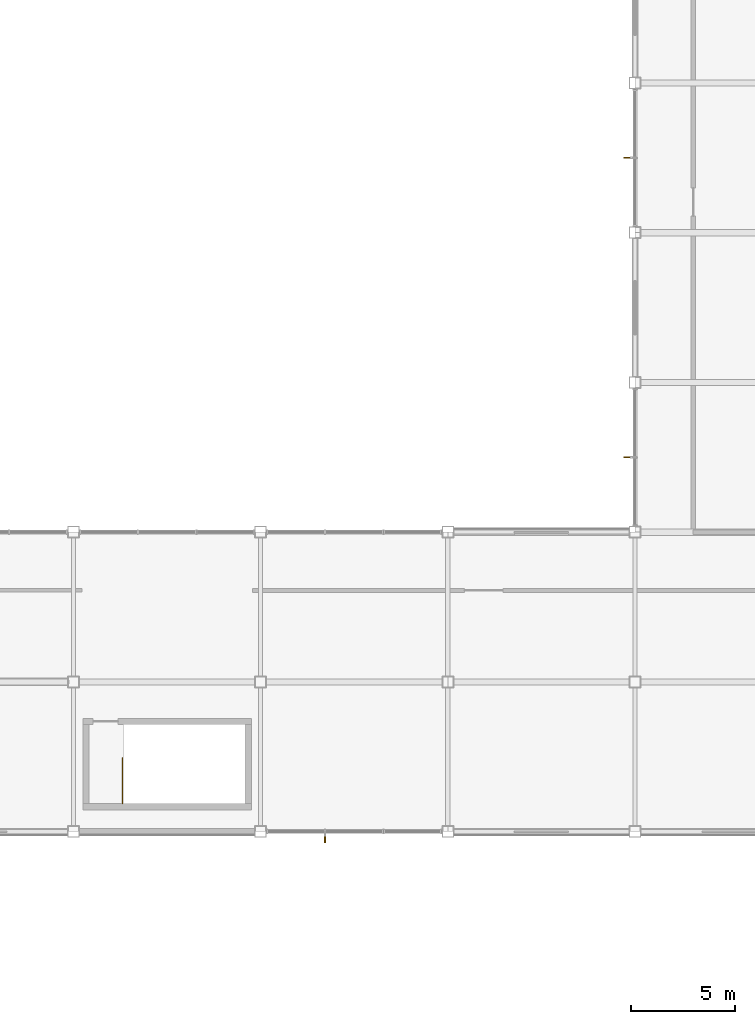
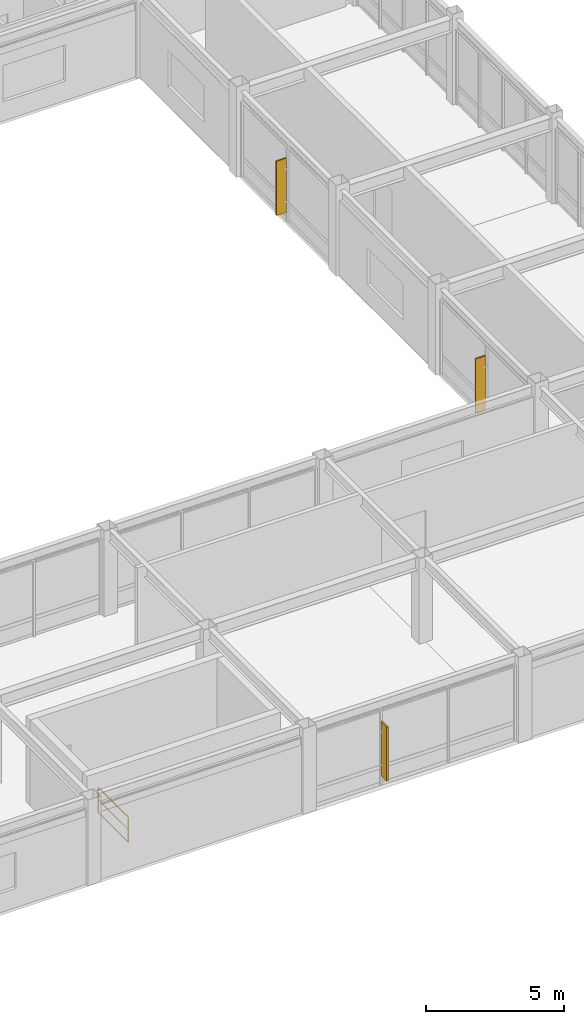
# One storey, part 109 of 113: 3 shading devices, 1 railing.
"""IFC4 building model written with IfcOpenShell, lengths in metres."""

import ifcopenshell
import ifcopenshell.guid

model = None  # the IFC model being written
_history = None  # IfcOwnerHistory: only IFC2X3 demands one
_inside = {}  # id of a spatial element -> (the spatial element, [elements in it])
_under = {}  # id of a project, library or spatial element -> (it, [spatial elements below it])
_declared = {}  # id of a project -> (the project, [libraries it declares])
_typed = {}  # id of a type object -> (the type object, [elements of that type])
_made_of = {}  # id of a material, layer set ... -> (it, [elements and type objects made of it])


def new_model(schema):
    """Start an empty IFC model of exactly this schema.

    Asked for "IFC4X3", IfcOpenShell would pick the latest addendum, in which some entities
    have other attributes; the version numbers below select the first issue.
    IFC2X3 requires an IfcOwnerHistory on every rooted entity: one is made here for all.
    """
    global model, _history
    if schema == "IFC4X3":
        model = ifcopenshell.file(schema_version=(4, 3, 0, 0))
    else:
        model = ifcopenshell.file(schema=schema)
    _inside.clear()
    _under.clear()
    _declared.clear()
    _typed.clear()
    _made_of.clear()
    _history = None
    if model.schema == "IFC2X3":
        org = make("IfcOrganization", Name="unknown")
        user = make(
            "IfcPersonAndOrganization",
            ThePerson=make("IfcPerson", FamilyName="unknown"),
            TheOrganization=org,
        )
        app = make(
            "IfcApplication",
            ApplicationDeveloper=org,
            Version="unknown",
            ApplicationFullName="unknown",
            ApplicationIdentifier="unknown",
        )
        _history = make(
            "IfcOwnerHistory",
            OwningUser=user,
            OwningApplication=app,
            ChangeAction="ADDED",
            CreationDate=0,
        )
    return model


def make(cls, **values):
    """One entity of the class cls with the attributes given. An attribute that is None is left unset."""
    return model.create_entity(
        cls, **{name: value for name, value in values.items() if value is not None}
    )


def rooted(cls, **values):
    """An entity with a GlobalId (a new one), such as an element, a storey or a relation."""
    return make(cls, GlobalId=ifcopenshell.guid.new(), OwnerHistory=_history, **values)


def si_unit(unit_type, name, prefix=None):
    """IfcSIUnit, for example si_unit("LENGTHUNIT", "METRE", prefix="MILLI")."""
    return make("IfcSIUnit", UnitType=unit_type, Prefix=prefix, Name=name)


def assignment(units):
    """IfcUnitAssignment: the units of a project."""
    return None if units is None else make("IfcUnitAssignment", Units=units)


def point(xyz):
    """IfcCartesianPoint."""
    return None if xyz is None else make("IfcCartesianPoint", Coordinates=xyz)


def direction(xyz):
    """IfcDirection."""
    return None if xyz is None else make("IfcDirection", DirectionRatios=xyz)


def frame(location, z_axis=None, x_axis=None):
    """IfcAxis2Placement3D, a coordinate frame: its origin and axes. An axis left out is left unset."""
    return make(
        "IfcAxis2Placement3D",
        Location=point(location),
        Axis=direction(z_axis),
        RefDirection=direction(x_axis),
    )


def frame_2d(location, x_axis=None):
    """IfcAxis2Placement2D, a coordinate frame in the plane: its origin and x axis."""
    return make(
        "IfcAxis2Placement2D", Location=point(location), RefDirection=direction(x_axis)
    )


def origin():
    """The frame at (0, 0, 0) with its axes left unset."""
    return frame((0.0, 0.0, 0.0))


def origin_2d():
    """The frame at (0, 0) in the plane with its x axis left unset."""
    return frame_2d((0.0, 0.0))


def place(relative_to, where):
    """IfcLocalPlacement: puts the frame where relative to a parent placement (None: the world)."""
    return make(
        "IfcLocalPlacement", PlacementRelTo=relative_to, RelativePlacement=where
    )


def context(
    kind, dimensions, precision=None, world=None, true_north=None, identifier=None
):
    """IfcGeometricRepresentationContext, for example the 3D "Model" context."""
    return make(
        "IfcGeometricRepresentationContext",
        ContextIdentifier=identifier,
        ContextType=kind,
        CoordinateSpaceDimension=dimensions,
        Precision=precision,
        WorldCoordinateSystem=world,
        TrueNorth=true_north,
    )


def subcontext(parent, identifier, kind, view, scale=None):
    """IfcGeometricRepresentationSubContext, for example "Body" below "Model"."""
    return make(
        "IfcGeometricRepresentationSubContext",
        ContextIdentifier=identifier,
        ContextType=kind,
        ParentContext=parent,
        TargetScale=scale,
        TargetView=view,
    )


def project(units=None, contexts=None):
    """IfcProject with its units and contexts."""
    return rooted(
        "IfcProject",
        Name="project",
        RepresentationContexts=contexts,
        UnitsInContext=assignment(units),
    )


def spatial(cls, under=None, at=None, **own):
    """A site, building, storey or space (cls), placed at a placement, below another one or the project."""
    s = rooted(cls, ObjectPlacement=at, **own)
    if under is not None:
        _under.setdefault(under.id(), (under, []))[1].append(s)
    return s


def profile(cls, at=None, kind="AREA", **sizes):
    """A parametric profile (cls). Its sizes go by their IFC names, for example OverallWidth=200.0."""
    return make(cls, ProfileType=kind, Position=at, **sizes)


def rectangle(**sizes):
    """IfcRectangleProfileDef."""
    return profile("IfcRectangleProfileDef", **sizes)


def extrude(swept, where, along, depth):
    """IfcExtrudedAreaSolid: the profile swept, set in the frame where, extruded along a direction by depth."""
    return make(
        "IfcExtrudedAreaSolid",
        SweptArea=swept,
        Position=where,
        ExtrudedDirection=direction(along),
        Depth=depth,
    )


def shape(context_of_items, identifier, shape_type, items):
    """IfcShapeRepresentation: the items that make up one representation, for example the "Body"."""
    return make(
        "IfcShapeRepresentation",
        ContextOfItems=context_of_items,
        RepresentationIdentifier=identifier,
        RepresentationType=shape_type,
        Items=items,
    )


def material(Name=None, Category=None):
    """IfcMaterial."""
    return make("IfcMaterial", Name=Name, Category=Category)


def made_of(thing, what):
    """Note that an element or type object is made of a material, layer set ...; save() writes the relation."""
    if what is not None:
        _made_of.setdefault(what.id(), (what, []))[1].append(thing)
    return thing


def type_object(cls, material=None, **own):
    """A type object (cls), such as IfcWallType, which elements share."""
    return made_of(rooted(cls, **own), material)


def element(
    cls,
    number,
    at=None,
    inside=None,
    cuts=None,
    type_object=None,
    material=None,
    context=None,
    identifier="Body",
    shape_type=None,
    held_by="IfcProductDefinitionShape",
    body=None,
    shapes=None,
    **own,
):
    """One element of the class cls, such as IfcWall. Its Tag is "e" and its number.

    at: its placement. inside: the storey or other place that contains it. cuts: it is an
    opening in that element (IfcRelVoidsElement). A single representation is given by context,
    identifier, shape_type and body (its items); several are given by shapes. held_by: the class
    of the entity that holds the representations. save() writes the other relations.
    """
    e = rooted(cls, Tag="e%d" % number, ObjectPlacement=at, **own)
    if body is not None:
        shapes = [shape(context, identifier, shape_type, body)]
    if shapes is not None:
        e.Representation = make(held_by, Representations=shapes)
    if inside is not None:
        _inside.setdefault(inside.id(), (inside, []))[1].append(e)
    if cuts is not None:
        rooted(
            "IfcRelVoidsElement", RelatingBuildingElement=cuts, RelatedOpeningElement=e
        )
    if type_object is not None:
        _typed.setdefault(type_object.id(), (type_object, []))[1].append(e)
    return made_of(e, material)


def aggregate(whole, parts):
    """IfcRelAggregates: a whole, such as a stair, and the parts it consists of."""
    return rooted("IfcRelAggregates", RelatingObject=whole, RelatedObjects=parts)


def save(model, path):
    """Write the relations noted so far, then the file.

    IfcRelAggregates (storeys below a building ...), IfcRelContainedInSpatialStructure (elements
    in a storey), IfcRelDefinesByType, IfcRelAssociatesMaterial and IfcRelDeclares: one each for
    every whole, place, type object, material and project.
    """
    for whole, parts in _under.values():
        aggregate(whole, parts)
    for where, things in _inside.values():
        rooted(
            "IfcRelContainedInSpatialStructure",
            RelatedElements=things,
            RelatingStructure=where,
        )
    for kind, things in _typed.values():
        rooted("IfcRelDefinesByType", RelatedObjects=things, RelatingType=kind)
    for what, things in _made_of.values():
        rooted("IfcRelAssociatesMaterial", RelatedObjects=things, RelatingMaterial=what)
    for by, libraries in _declared.values():
        rooted("IfcRelDeclares", RelatingContext=by, RelatedDefinitions=libraries)
    model.write(path)


model = new_model("IFC4")

# Units and contexts
model_context = context("Model", 3, precision=1e-05, world=origin(), true_north=direction((0.0, 1.0)))
body_context = subcontext(model_context, "Body", "Model", "MODEL_VIEW")
ifc_project = project(units=[si_unit("LENGTHUNIT", "METRE"), si_unit("AREAUNIT", "SQUARE_METRE"), si_unit("VOLUMEUNIT", "CUBIC_METRE"), si_unit("PLANEANGLEUNIT", "RADIAN"), si_unit("MASSUNIT", "GRAM", prefix="KILO")], contexts=[model_context])

# Site, building, storey
site_placement = place(None, origin())
site = spatial("IfcSite", under=ifc_project, at=site_placement, CompositionType="ELEMENT")
building_placement = place(site_placement, origin())
building = spatial("IfcBuilding", under=site, at=building_placement, Name="Kazanami Central Library", CompositionType="ELEMENT")
storey_placement = place(building_placement, frame((0.0, 0.0, 8.800048828125)))
storey = spatial("IfcBuildingStorey", under=building, at=storey_placement, Name="L03", CompositionType="ELEMENT", Elevation=8.800048828125)

# Railing
ifc_material_1 = material(Name="Stainless Steel SUS304", Category="steel")
railing_type = type_object("IfcRailingType", Name="RAL-GR-S1", PredefinedType="GUARDRAIL", material=ifc_material_1)
railing_placement = place(storey_placement, frame((74.360107421875, 22.969970703125, 0.0)))
element("IfcRailing", 1, at=railing_placement, inside=storey, type_object=railing_type, Name="Stair Well Guard ST-09 L03", PredefinedType="GUARDRAIL", context=body_context, shape_type="SweptSolid", body=[
    extrude(rectangle(XDim=0.0439453125, YDim=0.0439453125, at=origin_2d()), frame((0.0, 0.02587890625, 1.1279296875), z_axis=(0.0, 1.0, 0.0), x_axis=(-1.0, 0.0, 0.0)), (0.0, 0.0, 1.0), 2.10791015625),
    extrude(rectangle(XDim=0.02392578125, YDim=0.02392578125, at=origin_2d()), frame((0.0, 0.02587890625, 0.015869140625), z_axis=(0.0, 1.0, 0.0), x_axis=(-1.0, 0.0, 0.0)), (0.0, 0.0, 1.0), 2.10791015625),
    extrude(rectangle(XDim=0.02392578125, YDim=0.02392578125, at=origin_2d()), frame((0.0, 0.02587890625, 0.574951171875), z_axis=(0.0, 1.0, 0.0), x_axis=(-1.0, 0.0, 0.0)), (0.0, 0.0, 1.0), 2.10791015625),
    extrude(rectangle(XDim=0.035888671875, YDim=0.035888671875, at=origin_2d()), origin(), (0.0, 0.0, 1.0), 1.10205078125),
    extrude(rectangle(XDim=0.035888671875, YDim=0.035888671875, at=origin_2d()), frame((0.0, 2.159912109375, 0.0)), (0.0, 0.0, 1.0), 1.10205078125),
])

# Shading devices
ifc_material_2 = material(Name="Anodised Bronze-Grey Aluminium A6063-T5", Category="aluminium")
shading_device_type = type_object("IfcShadingDeviceType", Name="SHD-FIN-2", PredefinedType="USERDEFINED", material=ifc_material_2)
for number, where, z_axis, x_axis, name in (
    (2, (84.091552734375, 21.27001953125, 0.465087890625), (0.0, 0.0, 1.0), (1.0, 0.0, 0.0), "Vertical Solar Fin SF-02 L03 S-D-09.1"),
    (3, (98.669921875, 39.60009765625, 0.447509765625), (0.0, 0.0, 1.0), (0.0, 1.0, 0.0), "Vertical Solar Fin SF-02 L03 W-12-05.1"),
    (4, (98.669921875, 54.0, 0.447509765625), (0.0, 0.0, 1.0), (0.0, 1.0, 0.0), "Vertical Solar Fin SF-02 L03 W-12-07.1"),
):
    element("IfcShadingDevice", number, at=place(storey_placement, frame(where, z_axis=z_axis, x_axis=x_axis)), inside=storey, type_object=shading_device_type, Name=name, ObjectType="SOLAR FIN", PredefinedType="USERDEFINED", context=body_context, shape_type="SweptSolid", body=[
        extrude(rectangle(XDim=0.06494140625, YDim=0.419921875, at=origin_2d()), origin(), (0.0, 0.0, 1.0), 2.39990234375),
    ])

save(model, "model.ifc")
